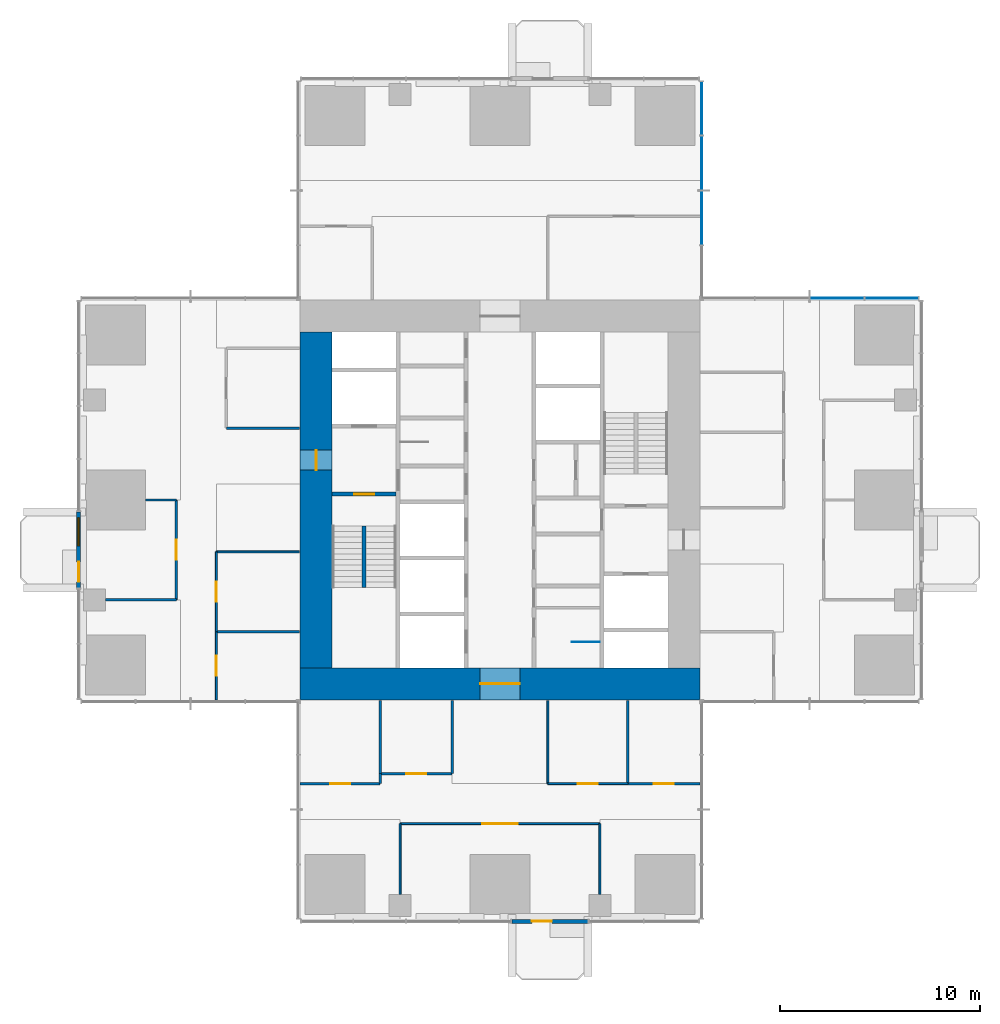
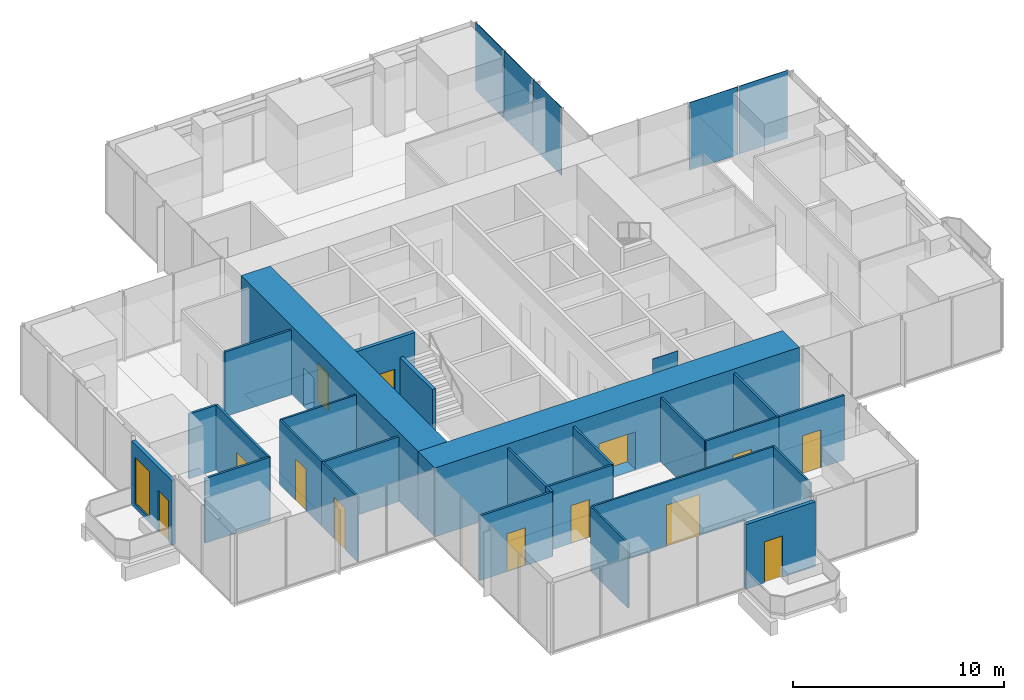
# One storey, part 8 of 13: 27 walls, 13 doors, 5 plates, 1 window, 14 openings, 2 elements without a shape of their own.
"""IFC4 building model written with IfcOpenShell, lengths in metres."""

from ifc_helpers import new_model, si_unit, direction, frame, frame_2d, origin, origin_2d, place, context, subcontext, project, spatial, rectangle, extrude, material, layer, layer_set, type_object, element, fill, aggregate, save


model = new_model("IFC4")

# Units and contexts
model_context = context("Model", 3, precision=1e-05, world=origin(), true_north=direction((0.0, 1.0)))
body_context = subcontext(model_context, "Body", "Model", "MODEL_VIEW")
ifc_project = project(units=[si_unit("LENGTHUNIT", "METRE"), si_unit("AREAUNIT", "SQUARE_METRE"), si_unit("VOLUMEUNIT", "CUBIC_METRE"), si_unit("PLANEANGLEUNIT", "RADIAN"), si_unit("MASSUNIT", "GRAM", prefix="KILO")], contexts=[model_context])

# Site, building, storey
site_placement = place(None, origin())
site = spatial("IfcSite", under=ifc_project, at=site_placement, CompositionType="ELEMENT")
building_placement = place(site_placement, origin())
building = spatial("IfcBuilding", under=site, at=building_placement, Name="Svetlomir Tower", CompositionType="ELEMENT")
storey_placement = place(building_placement, frame((0.0, 0.0, 144.5)))
storey = spatial("IfcBuildingStorey", under=building, at=storey_placement, Name="L34", CompositionType="ELEMENT", Elevation=144.5)

# Curtain wall, plates
ifc_material_1 = material(Name="Bronze anodised aluminium curtain wall", Category="aluminium")
curtain_wall_type = type_object("IfcCurtainWallType", Name="CURTAIN WALL CW1 TOWER OFFICE", PredefinedType="NOTDEFINED", material=ifc_material_1)
curtain_wall_1_placement = place(storey_placement, origin())
curtain_wall_1 = element("IfcCurtainWall", 1, at=curtain_wall_1_placement, inside=storey, type_object=curtain_wall_type, Name="Curtain wall CW1 L34", PredefinedType="NOTDEFINED")
ifc_material_2 = material(Name="Tinted double glazed unit", Category="glass")
ifc_layer_1 = layer(ifc_material_2, 0.031982421875)
ifc_layer_set_1 = layer_set([ifc_layer_1], Name="Tinted double glazed unit")
plate_type = type_object("IfcPlateType", Name="CW1 GLAZED PANEL 32", PredefinedType="CURTAIN_PANEL", material=ifc_layer_set_1)
plate_1_placement = place(storey_placement, frame((40.608642578125, 31.10009765625, 0.06494140625), z_axis=(0.0, 0.0, 1.0), x_axis=(-1.0, 0.0, 0.0)))
plate_1 = element("IfcPlate", 2, at=plate_1_placement, type_object=plate_type, Name="CW1 panel 1.1", PredefinedType="CURTAIN_PANEL", context=body_context, shape_type="SweptSolid", body=[
    extrude(rectangle(XDim=2.652587890625, YDim=0.031982421875, at=origin_2d()), origin(), (0.0, 0.0, 1.0), 3.93505859375),
])
plate_2_placement = place(storey_placement, frame((37.875, 31.10009765625, 0.06494140625), z_axis=(0.0, 0.0, 1.0), x_axis=(-1.0, 0.0, 0.0)))
plate_2 = element("IfcPlate", 3, at=plate_2_placement, type_object=plate_type, Name="CW1 panel 2.1", PredefinedType="CURTAIN_PANEL", context=body_context, shape_type="SweptSolid", body=[
    extrude(rectangle(XDim=2.68505859375, YDim=0.031982421875, at=origin_2d()), origin(), (0.0, 0.0, 1.0), 3.93505859375),
])
aggregate(curtain_wall_1, [plate_1, plate_2])

curtain_wall_2_placement = place(storey_placement, origin())
curtain_wall_2 = element("IfcCurtainWall", 4, at=curtain_wall_2_placement, inside=storey, type_object=curtain_wall_type, Name="Curtain wall CW1 L34", PredefinedType="NOTDEFINED")
plate_3_placement = place(storey_placement, frame((31.10009765625, 35.125, 0.06494140625), z_axis=(0.0, 0.0, 1.0), x_axis=(0.0, 1.0, 0.0)))
plate_3 = element("IfcPlate", 5, at=plate_3_placement, type_object=plate_type, Name="CW1 panel 2.1", PredefinedType="CURTAIN_PANEL", context=body_context, shape_type="SweptSolid", body=[
    extrude(rectangle(XDim=2.68505859375, YDim=0.031982421875, at=origin_2d()), origin(), (0.0, 0.0, 1.0), 3.93505859375),
])
plate_4_placement = place(storey_placement, frame((31.10009765625, 37.875, 0.06494140625), z_axis=(0.0, 0.0, 1.0), x_axis=(0.0, 1.0, 0.0)))
plate_4 = element("IfcPlate", 6, at=plate_4_placement, type_object=plate_type, Name="CW1 panel 3.1", PredefinedType="CURTAIN_PANEL", context=body_context, shape_type="SweptSolid", body=[
    extrude(rectangle(XDim=2.68505859375, YDim=0.031982421875, at=origin_2d()), origin(), (0.0, 0.0, 1.0), 3.93505859375),
])
plate_5_placement = place(storey_placement, frame((31.10009765625, 40.608642578125, 0.06494140625), z_axis=(0.0, 0.0, 1.0), x_axis=(0.0, 1.0, 0.0)))
plate_5 = element("IfcPlate", 7, at=plate_5_placement, type_object=plate_type, Name="CW1 panel 4.1", PredefinedType="CURTAIN_PANEL", context=body_context, shape_type="SweptSolid", body=[
    extrude(rectangle(XDim=2.652587890625, YDim=0.031982421875, at=origin_2d()), origin(), (0.0, 0.0, 1.0), 3.93505859375),
])
aggregate(curtain_wall_2, [plate_3, plate_4, plate_5])

# Wall, opening, door
ifc_material_3 = material(Name="Bronze anodised aluminium glazed screen", Category="aluminium")
ifc_layer_2 = layer(ifc_material_3, 0.199951171875)
ifc_layer_set_2 = layer_set([ifc_layer_2], Name="Bronze anodised aluminium glazed screen")
wall_type_1 = type_object("IfcWallType", Name="BALCONY SCREEN WALL 200", PredefinedType="USERDEFINED", material=ifc_layer_set_2)
wall_1_placement = place(storey_placement, frame((21.60009765625, -0.10009765625, 0.0), z_axis=(0.0, 0.0, 1.0), x_axis=(1.0, 0.0, 0.0)))
wall_1 = element("IfcWall", 8, at=wall_1_placement, inside=storey, type_object=wall_type_1, Name="Balcony screen S", ObjectType="GLAZED SCREEN", PredefinedType="USERDEFINED", context=body_context, shape_type="SweptSolid", body=[
    extrude(rectangle(XDim=3.7998046875, YDim=0.199951171875, at=frame_2d((1.89990234375, 0.0))), origin(), (0.0, 0.0, 1.0), 3.75),
])
opening_1_placement = place(wall_1_placement, frame((1.0, 0.0, 0.0)))
opening_1 = element("IfcOpeningElement", 9, at=opening_1_placement, cuts=wall_1, Name="Opening BD", PredefinedType="OPENING", context=body_context, shape_type="SweptSolid", body=[
    extrude(rectangle(XDim=1.0, YDim=2.39990234375, at=frame_2d((0.5, 1.199951171875))), frame((0.0, 0.10986328125, 0.0), z_axis=(0.0, -1.0, 0.0), x_axis=(1.0, 0.0, 0.0)), (0.0, 0.0, 1.0), 0.219970703125),
])
ifc_material_4 = material(Name="Bronze anodised aluminium glazed door", Category="aluminium")
door_type_1 = type_object("IfcDoorType", Name="BALCONY DOOR BD 1000x2400", OperationType="SINGLE_SWING_LEFT", PredefinedType="DOOR", material=ifc_material_4)
door_1_placement = place(opening_1_placement, origin())
door_1 = element("IfcDoor", 10, at=door_1_placement, inside=storey, type_object=door_type_1, Name="Balcony screen S door", OperationType="SINGLE_SWING_LEFT", OverallHeight=2.39990234375, OverallWidth=1.0, PredefinedType="DOOR", context=body_context, shape_type="SweptSolid", body=[
    extrude(rectangle(XDim=1.0, YDim=2.39990234375, at=frame_2d((0.5, 1.199951171875))), frame((0.0, 0.02490234375, 0.0), z_axis=(0.0, -1.0, 0.0), x_axis=(1.0, 0.0, 0.0)), (0.0, 0.0, 1.0), 0.050048828125),
])
fill(opening_1, door_1)

# Wall, openings, door, window
wall_2_placement = place(storey_placement, frame((-0.10009765625, 20.39990234375, 0.0), z_axis=(0.0, 0.0, 1.0), x_axis=(0.0, -1.0, 0.0)))
wall_2 = element("IfcWall", 11, at=wall_2_placement, inside=storey, type_object=wall_type_1, Name="Balcony screen W", ObjectType="GLAZED SCREEN", PredefinedType="USERDEFINED", context=body_context, shape_type="SweptSolid", body=[
    extrude(rectangle(XDim=3.7998046875, YDim=0.199951171875, at=frame_2d((1.89990234375, 0.0))), origin(), (0.0, 0.0, 1.0), 3.75),
])
opening_2_placement = place(wall_2_placement, frame((2.5, 0.0, 0.0)))
opening_2 = element("IfcOpeningElement", 12, at=opening_2_placement, cuts=wall_2, Name="Opening BD", PredefinedType="OPENING", context=body_context, shape_type="SweptSolid", body=[
    extrude(rectangle(XDim=1.0, YDim=2.39990234375, at=frame_2d((0.5, 1.199951171875))), frame((0.0, 0.10986328125, 0.0), z_axis=(0.0, -1.0, 0.0), x_axis=(1.0, 0.0, 0.0)), (0.0, 0.0, 1.0), 0.219970703125),
])
opening_3_placement = place(wall_2_placement, frame((0.300048828125, 0.0, 0.300048828125)))
opening_3 = element("IfcOpeningElement", 13, at=opening_3_placement, cuts=wall_2, Name="Opening WS2", PredefinedType="OPENING", context=body_context, shape_type="SweptSolid", body=[
    extrude(rectangle(XDim=1.39990234375, YDim=2.699951171875, at=frame_2d((0.699951171875, 1.35009765625))), frame((0.0, 0.10986328125, 0.0), z_axis=(0.0, -1.0, 0.0), x_axis=(1.0, 0.0, 0.0)), (0.0, 0.0, 1.0), 0.219970703125),
])
door_2_placement = place(opening_2_placement, origin())
door_2 = element("IfcDoor", 14, at=door_2_placement, inside=storey, type_object=door_type_1, Name="Balcony screen W door", OperationType="SINGLE_SWING_LEFT", OverallHeight=2.39990234375, OverallWidth=1.0, PredefinedType="DOOR", context=body_context, shape_type="SweptSolid", body=[
    extrude(rectangle(XDim=1.0, YDim=2.39990234375, at=frame_2d((0.5, 1.199951171875))), frame((0.0, 0.02490234375, 0.0), z_axis=(0.0, -1.0, 0.0), x_axis=(1.0, 0.0, 0.0)), (0.0, 0.0, 1.0), 0.050048828125),
])
fill(opening_2, door_2)
ifc_material_5 = material(Name="Bronze anodised aluminium window", Category="aluminium")
window_type = type_object("IfcWindowType", Name="SCREEN WINDOW WS2 1400x2700", PartitioningType="SINGLE_PANEL", PredefinedType="WINDOW", material=ifc_material_5)
window_placement = place(opening_3_placement, origin())
window = element("IfcWindow", 15, at=window_placement, inside=storey, type_object=window_type, Name="Balcony screen W window 1", OverallHeight=2.699951171875, OverallWidth=1.39990234375, PartitioningType="SINGLE_PANEL", PredefinedType="WINDOW", context=body_context, shape_type="SweptSolid", body=[
    extrude(rectangle(XDim=1.39990234375, YDim=2.699951171875, at=frame_2d((0.699951171875, 1.35009765625))), frame((0.0, 0.030029296875, 0.0), z_axis=(0.0, -1.0, 0.0), x_axis=(1.0, 0.0, 0.0)), (0.0, 0.0, 1.0), 0.06005859375),
])
fill(opening_3, window)

# Wall, opening, door
ifc_material_6 = material(Name="Concrete C60/75", Category="concrete")
ifc_layer_3 = layer(ifc_material_6, 0.199951171875)
ifc_layer_set_3 = layer_set([ifc_layer_3], Name="Concrete C60/75")
wall_type_2 = type_object("IfcWallType", Name="CORE INNER WALL 200", PredefinedType="SHEAR", material=ifc_layer_set_3)
wall_3_placement = place(storey_placement, frame((12.60009765625, 21.300048828125, -0.050048828125), z_axis=(0.0, 0.0, 1.0), x_axis=(1.0, 0.0, 0.0)))
wall_3 = element("IfcWall", 16, at=wall_3_placement, inside=storey, type_object=wall_type_2, Name="Core inner wall 12.6-15.8/21.3 L34", PredefinedType="SHEAR", context=body_context, shape_type="SweptSolid", body=[
    extrude(rectangle(XDim=3.199951171875, YDim=0.199951171875, at=frame_2d((1.60009765625, 0.0))), origin(), (0.0, 0.0, 1.0), 4.0),
])
opening_4_placement = place(wall_3_placement, frame((1.10009765625, 0.0, 0.050048828125)))
opening_4 = element("IfcOpeningElement", 17, at=opening_4_placement, cuts=wall_3, Name="Opening DF", PredefinedType="OPENING", context=body_context, shape_type="SweptSolid", body=[
    extrude(rectangle(XDim=1.0, YDim=2.199951171875, at=frame_2d((0.5, 1.10009765625))), frame((0.0, 0.10986328125, 0.0), z_axis=(0.0, -1.0, 0.0), x_axis=(1.0, 0.0, 0.0)), (0.0, 0.0, 1.0), 0.219970703125),
])
ifc_material_7 = material(Name="Steel fire door", Category="steel")
door_type_2 = type_object("IfcDoorType", Name="DOOR DF 1000x2200", OperationType="SINGLE_SWING_LEFT", PredefinedType="DOOR", material=ifc_material_7)
door_3_placement = place(opening_4_placement, origin())
door_3 = element("IfcDoor", 18, at=door_3_placement, inside=storey, type_object=door_type_2, Name="Stair S1 door L34", OperationType="SINGLE_SWING_RIGHT", OverallHeight=2.199951171875, OverallWidth=1.0, PredefinedType="DOOR", context=body_context, shape_type="SweptSolid", body=[
    extrude(rectangle(XDim=1.0, YDim=2.199951171875, at=frame_2d((0.5, 1.10009765625))), frame((0.0, 0.02490234375, 0.0), z_axis=(0.0, -1.0, 0.0), x_axis=(1.0, 0.0, 0.0)), (0.0, 0.0, 1.0), 0.050048828125),
])
fill(opening_4, door_3)

ifc_material_8 = material(Name="Concrete C60/75", Category="concrete")
ifc_layer_4 = layer(ifc_material_8, 1.60009765625)
ifc_layer_set_4 = layer_set([ifc_layer_4], Name="Concrete C60/75")
wall_type_3 = type_object("IfcWallType", Name="CORE WALL 1600", PredefinedType="SHEAR", material=ifc_layer_set_4)
wall_4_placement = place(storey_placement, frame((11.0, 11.800048828125, -0.050048828125), z_axis=(0.0, 0.0, 1.0), x_axis=(1.0, 0.0, 0.0)))
wall_4 = element("IfcWall", 19, at=wall_4_placement, inside=storey, type_object=wall_type_3, Name="Core wall south L34", PredefinedType="SHEAR", context=body_context, shape_type="SweptSolid", body=[
    extrude(rectangle(XDim=20.0, YDim=1.60009765625, at=frame_2d((10.0, 0.0))), origin(), (0.0, 0.0, 1.0), 4.0),
])
opening_5_placement = place(wall_4_placement, frame((9.0, 0.0, 0.050048828125)))
opening_5 = element("IfcOpeningElement", 20, at=opening_5_placement, cuts=wall_4, Name="Opening DL", PredefinedType="OPENING", context=body_context, shape_type="SweptSolid", body=[
    extrude(rectangle(XDim=2.0, YDim=2.199951171875, at=frame_2d((1.0, 1.10009765625))), frame((0.0, 0.81005859375, 0.0), z_axis=(0.0, -1.0, 0.0), x_axis=(1.0, 0.0, 0.0)), (0.0, 0.0, 1.0), 1.6201171875),
])
ifc_material_9 = material(Name="Steel fire door", Category="steel")
door_type_3 = type_object("IfcDoorType", Name="DOOR DL 2000x2200", OperationType="DOUBLE_DOOR_SINGLE_SWING", PredefinedType="DOOR", material=ifc_material_9)
door_4_placement = place(opening_5_placement, origin())
door_4 = element("IfcDoor", 21, at=door_4_placement, inside=storey, type_object=door_type_3, Name="Lift lobby south door L34", OperationType="DOUBLE_DOOR_SINGLE_SWING", OverallHeight=2.199951171875, OverallWidth=2.0, PredefinedType="DOOR", context=body_context, shape_type="SweptSolid", body=[
    extrude(rectangle(XDim=2.0, YDim=2.199951171875, at=frame_2d((1.0, 1.10009765625))), frame((0.0, 0.02490234375, 0.0), z_axis=(0.0, -1.0, 0.0), x_axis=(1.0, 0.0, 0.0)), (0.0, 0.0, 1.0), 0.050048828125),
])
fill(opening_5, door_4)

wall_5_placement = place(storey_placement, frame((11.800048828125, 12.60009765625, -0.050048828125), z_axis=(0.0, 0.0, 1.0), x_axis=(0.0, 1.0, 0.0)))
wall_5 = element("IfcWall", 22, at=wall_5_placement, inside=storey, type_object=wall_type_3, Name="Core wall west L34", PredefinedType="SHEAR", context=body_context, shape_type="SweptSolid", body=[
    extrude(rectangle(XDim=16.7998046875, YDim=1.60009765625, at=frame_2d((8.39990234375, 0.0))), origin(), (0.0, 0.0, 1.0), 4.0),
])
opening_6_placement = place(wall_5_placement, frame((9.89990234375, 0.0, 0.050048828125)))
opening_6 = element("IfcOpeningElement", 23, at=opening_6_placement, cuts=wall_5, Name="Opening DF", PredefinedType="OPENING", context=body_context, shape_type="SweptSolid", body=[
    extrude(rectangle(XDim=1.0, YDim=2.199951171875, at=frame_2d((0.5, 1.10009765625))), frame((0.0, 0.81005859375, 0.0), z_axis=(0.0, -1.0, 0.0), x_axis=(1.0, 0.0, 0.0)), (0.0, 0.0, 1.0), 1.6201171875),
])
door_5_placement = place(opening_6_placement, origin())
door_5 = element("IfcDoor", 24, at=door_5_placement, inside=storey, type_object=door_type_2, Name="Firefighting lobby west door L34", OperationType="SINGLE_SWING_RIGHT", OverallHeight=2.199951171875, OverallWidth=1.0, PredefinedType="DOOR", context=body_context, shape_type="SweptSolid", body=[
    extrude(rectangle(XDim=1.0, YDim=2.199951171875, at=frame_2d((0.5, 1.10009765625))), frame((0.0, 0.02490234375, 0.0), z_axis=(0.0, -1.0, 0.0), x_axis=(1.0, 0.0, 0.0)), (0.0, 0.0, 1.0), 0.050048828125),
])
fill(opening_6, door_5)

ifc_material_10 = material(Name="Framed laminated glass partition", Category="glass")
ifc_layer_5 = layer(ifc_material_10, 0.10009765625)
ifc_layer_set_5 = layer_set([ifc_layer_5], Name="Framed laminated glass partition")
wall_type_4 = type_object("IfcWallType", Name="GLAZED PARTITION 100", PredefinedType="PARTITIONING", material=ifc_layer_set_5)
wall_6_placement = place(storey_placement, frame((6.800048828125, 11.0, 0.0), z_axis=(0.0, 0.0, 1.0), x_axis=(0.0, 1.0, 0.0)))
wall_6 = element("IfcWall", 25, at=wall_6_placement, inside=storey, type_object=wall_type_4, Name="Glazed partition L34", PredefinedType="PARTITIONING", context=body_context, shape_type="SweptSolid", body=[
    extrude(rectangle(XDim=3.39990234375, YDim=0.10009765625, at=frame_2d((1.699951171875, 0.0))), origin(), (0.0, 0.0, 1.0), 3.75),
])
opening_7_placement = place(wall_6_placement, frame((1.199951171875, 0.0, 0.0)))
opening_7 = element("IfcOpeningElement", 26, at=opening_7_placement, cuts=wall_6, Name="Opening DG", PredefinedType="OPENING", context=body_context, shape_type="SweptSolid", body=[
    extrude(rectangle(XDim=1.0, YDim=2.39990234375, at=frame_2d((0.5, 1.199951171875))), frame((0.0, 0.06005859375, 0.0), z_axis=(0.0, -1.0, 0.0), x_axis=(1.0, 0.0, 0.0)), (0.0, 0.0, 1.0), 0.1201171875),
])
ifc_material_11 = material(Name="Framed laminated glass door", Category="glass")
door_type_4 = type_object("IfcDoorType", Name="GLAZED DOOR DG 1000x2400", OperationType="SINGLE_SWING_LEFT", PredefinedType="DOOR", material=ifc_material_11)
door_6_placement = place(opening_7_placement, origin())
door_6 = element("IfcDoor", 27, at=door_6_placement, inside=storey, type_object=door_type_4, Name="Model validation room door L34", OperationType="SINGLE_SWING_RIGHT", OverallHeight=2.39990234375, OverallWidth=1.0, PredefinedType="DOOR", context=body_context, shape_type="SweptSolid", body=[
    extrude(rectangle(XDim=1.0, YDim=2.39990234375, at=frame_2d((0.5, 1.199951171875))), frame((0.0, 0.02490234375, 0.0), z_axis=(0.0, -1.0, 0.0), x_axis=(1.0, 0.0, 0.0)), (0.0, 0.0, 1.0), 0.050048828125),
])
fill(opening_7, door_6)

wall_7_placement = place(storey_placement, frame((6.800048828125, 14.39990234375, 0.0), z_axis=(0.0, 0.0, 1.0), x_axis=(0.0, 1.0, 0.0)))
wall_7 = element("IfcWall", 28, at=wall_7_placement, inside=storey, type_object=wall_type_4, Name="Glazed partition L34", PredefinedType="PARTITIONING", context=body_context, shape_type="SweptSolid", body=[
    extrude(rectangle(XDim=4.0, YDim=0.10009765625, at=frame_2d((2.0, 0.0))), origin(), (0.0, 0.0, 1.0), 3.75),
])
opening_8_placement = place(wall_7_placement, frame((1.5, 0.0, 0.0)))
opening_8 = element("IfcOpeningElement", 29, at=opening_8_placement, cuts=wall_7, Name="Opening DG", PredefinedType="OPENING", context=body_context, shape_type="SweptSolid", body=[
    extrude(rectangle(XDim=1.0, YDim=2.39990234375, at=frame_2d((0.5, 1.199951171875))), frame((0.0, 0.06005859375, 0.0), z_axis=(0.0, -1.0, 0.0), x_axis=(1.0, 0.0, 0.0)), (0.0, 0.0, 1.0), 0.1201171875),
])
door_7_placement = place(opening_8_placement, origin())
door_7 = element("IfcDoor", 30, at=door_7_placement, inside=storey, type_object=door_type_4, Name="Focus room 1 door L34", OperationType="SINGLE_SWING_RIGHT", OverallHeight=2.39990234375, OverallWidth=1.0, PredefinedType="DOOR", context=body_context, shape_type="SweptSolid", body=[
    extrude(rectangle(XDim=1.0, YDim=2.39990234375, at=frame_2d((0.5, 1.199951171875))), frame((0.0, 0.02490234375, 0.0), z_axis=(0.0, -1.0, 0.0), x_axis=(1.0, 0.0, 0.0)), (0.0, 0.0, 1.0), 0.050048828125),
])
fill(opening_8, door_7)

# Walls
wall_8_placement = place(storey_placement, frame((6.800048828125, 18.39990234375, 0.0), z_axis=(0.0, 0.0, 1.0), x_axis=(1.0, 0.0, 0.0)))
element("IfcWall", 31, at=wall_8_placement, inside=storey, type_object=wall_type_4, Name="Glazed partition L34", PredefinedType="PARTITIONING", context=body_context, shape_type="SweptSolid", body=[
    extrude(rectangle(XDim=4.14990234375, YDim=0.10009765625, at=frame_2d((2.074951171875, 0.0))), origin(), (0.0, 0.0, 1.0), 3.75),
])
wall_9_placement = place(storey_placement, frame((16.0, 1.260009765625, 0.0), z_axis=(0.0, 0.0, 1.0), x_axis=(0.0, 1.0, 0.0)))
element("IfcWall", 32, at=wall_9_placement, inside=storey, type_object=wall_type_4, Name="Glazed partition L34", PredefinedType="PARTITIONING", context=body_context, shape_type="SweptSolid", body=[
    extrude(rectangle(XDim=3.5400390625, YDim=0.10009765625, at=frame_2d((1.77001953125, 0.0))), origin(), (0.0, 0.0, 1.0), 3.75),
])

# Wall, opening, door
wall_10_placement = place(storey_placement, frame((16.0, 4.800048828125, 0.0), z_axis=(0.0, 0.0, 1.0), x_axis=(1.0, 0.0, 0.0)))
wall_10 = element("IfcWall", 33, at=wall_10_placement, inside=storey, type_object=wall_type_4, Name="Glazed partition L34", PredefinedType="PARTITIONING", context=body_context, shape_type="SweptSolid", body=[
    extrude(rectangle(XDim=10.0, YDim=0.10009765625, at=frame_2d((5.0, 0.0))), origin(), (0.0, 0.0, 1.0), 3.75),
])
opening_9_placement = place(wall_10_placement, frame((4.10009765625, 0.0, 0.0)))
opening_9 = element("IfcOpeningElement", 34, at=opening_9_placement, cuts=wall_10, Name="Opening DD", PredefinedType="OPENING", context=body_context, shape_type="SweptSolid", body=[
    extrude(rectangle(XDim=1.800048828125, YDim=2.39990234375, at=frame_2d((0.89990234375, 1.199951171875))), frame((0.0, 0.06005859375, 0.0), z_axis=(0.0, -1.0, 0.0), x_axis=(1.0, 0.0, 0.0)), (0.0, 0.0, 1.0), 0.1201171875),
])
ifc_material_12 = material(Name="Timber door", Category="wood")
door_type_5 = type_object("IfcDoorType", Name="DOOR DD 1800x2400", OperationType="DOUBLE_DOOR_SINGLE_SWING", PredefinedType="DOOR", material=ifc_material_12)
door_8_placement = place(opening_9_placement, origin())
door_8 = element("IfcDoor", 35, at=door_8_placement, inside=storey, type_object=door_type_5, Name="Investor meeting room, 14 seats door L34", OperationType="DOUBLE_DOOR_SINGLE_SWING", OverallHeight=2.39990234375, OverallWidth=1.800048828125, PredefinedType="DOOR", context=body_context, shape_type="SweptSolid", body=[
    extrude(rectangle(XDim=1.800048828125, YDim=2.39990234375, at=frame_2d((0.89990234375, 1.199951171875))), frame((0.0, 0.02490234375, 0.0), z_axis=(0.0, -1.0, 0.0), x_axis=(1.0, 0.0, 0.0)), (0.0, 0.0, 1.0), 0.050048828125),
])
fill(opening_9, door_8)

# Wall
wall_11_placement = place(storey_placement, frame((23.39990234375, 6.800048828125, 0.0), z_axis=(0.0, 0.0, 1.0), x_axis=(0.0, 1.0, 0.0)))
element("IfcWall", 36, at=wall_11_placement, inside=storey, type_object=wall_type_4, Name="Glazed partition L34", PredefinedType="PARTITIONING", context=body_context, shape_type="SweptSolid", body=[
    extrude(rectangle(XDim=4.14990234375, YDim=0.10009765625, at=frame_2d((2.074951171875, 0.0))), origin(), (0.0, 0.0, 1.0), 3.75),
])

# Wall, opening, door
wall_12_placement = place(storey_placement, frame((23.39990234375, 6.800048828125, 0.0), z_axis=(0.0, 0.0, 1.0), x_axis=(1.0, 0.0, 0.0)))
wall_12 = element("IfcWall", 37, at=wall_12_placement, inside=storey, type_object=wall_type_4, Name="Glazed partition L34", PredefinedType="PARTITIONING", context=body_context, shape_type="SweptSolid", body=[
    extrude(rectangle(XDim=4.0, YDim=0.10009765625, at=frame_2d((2.0, 0.0))), origin(), (0.0, 0.0, 1.0), 3.75),
])
opening_10_placement = place(wall_12_placement, frame((1.5, 0.0, 0.0)))
opening_10 = element("IfcOpeningElement", 38, at=opening_10_placement, cuts=wall_12, Name="Opening DG", PredefinedType="OPENING", context=body_context, shape_type="SweptSolid", body=[
    extrude(rectangle(XDim=1.0, YDim=2.39990234375, at=frame_2d((0.5, 1.199951171875))), frame((0.0, 0.06005859375, 0.0), z_axis=(0.0, -1.0, 0.0), x_axis=(1.0, 0.0, 0.0)), (0.0, 0.0, 1.0), 0.1201171875),
])
door_9_placement = place(opening_10_placement, origin())
door_9 = element("IfcDoor", 39, at=door_9_placement, inside=storey, type_object=door_type_4, Name="Analyst call room door L34", OperationType="SINGLE_SWING_LEFT", OverallHeight=2.39990234375, OverallWidth=1.0, PredefinedType="DOOR", context=body_context, shape_type="SweptSolid", body=[
    extrude(rectangle(XDim=1.0, YDim=2.39990234375, at=frame_2d((0.5, 1.199951171875))), frame((0.0, 0.02490234375, 0.0), z_axis=(0.0, -1.0, 0.0), x_axis=(1.0, 0.0, 0.0)), (0.0, 0.0, 1.0), 0.050048828125),
])
fill(opening_10, door_9)

# Walls
wall_13_placement = place(storey_placement, frame((26.0, 1.260009765625, 0.0), z_axis=(0.0, 0.0, 1.0), x_axis=(0.0, 1.0, 0.0)))
element("IfcWall", 40, at=wall_13_placement, inside=storey, type_object=wall_type_4, Name="Glazed partition L34", PredefinedType="PARTITIONING", context=body_context, shape_type="SweptSolid", body=[
    extrude(rectangle(XDim=3.5400390625, YDim=0.10009765625, at=frame_2d((1.77001953125, 0.0))), origin(), (0.0, 0.0, 1.0), 3.75),
])
ifc_material_13 = material(Name="Gypsum board on steel studs", Category="steel")
ifc_layer_6 = layer(ifc_material_13, 0.1201171875)
ifc_layer_set_6 = layer_set([ifc_layer_6], Name="Gypsum board on steel studs")
wall_type_5 = type_object("IfcWallType", Name="PARTITION 120", PredefinedType="PARTITIONING", material=ifc_layer_set_6)
wall_14_placement = place(storey_placement, frame((1.260009765625, 16.0, 0.0), z_axis=(0.0, 0.0, 1.0), x_axis=(1.0, 0.0, 0.0)))
element("IfcWall", 41, at=wall_14_placement, inside=storey, type_object=wall_type_5, Name="Partition L34", PredefinedType="PARTITIONING", context=body_context, shape_type="SweptSolid", body=[
    extrude(rectangle(XDim=3.5400390625, YDim=0.1201171875, at=frame_2d((1.77001953125, 0.0))), origin(), (0.0, 0.0, 1.0), 3.75),
])
wall_15_placement = place(storey_placement, frame((3.260009765625, 21.0, 0.0), z_axis=(0.0, 0.0, 1.0), x_axis=(1.0, 0.0, 0.0)))
element("IfcWall", 42, at=wall_15_placement, inside=storey, type_object=wall_type_5, Name="Partition L34", PredefinedType="PARTITIONING", context=body_context, shape_type="SweptSolid", body=[
    extrude(rectangle(XDim=1.5400390625, YDim=0.1201171875, at=frame_2d((0.77001953125, 0.0))), origin(), (0.0, 0.0, 1.0), 3.75),
])

# Wall, opening, door
wall_16_placement = place(storey_placement, frame((4.800048828125, 16.0, 0.0), z_axis=(0.0, 0.0, 1.0), x_axis=(0.0, 1.0, 0.0)))
wall_16 = element("IfcWall", 43, at=wall_16_placement, inside=storey, type_object=wall_type_5, Name="Partition L34", PredefinedType="PARTITIONING", context=body_context, shape_type="SweptSolid", body=[
    extrude(rectangle(XDim=5.0, YDim=0.1201171875, at=frame_2d((2.5, 0.0))), origin(), (0.0, 0.0, 1.0), 3.75),
])
opening_11_placement = place(wall_16_placement, frame((2.0, 0.0, 0.0)))
opening_11 = element("IfcOpeningElement", 44, at=opening_11_placement, cuts=wall_16, Name="Opening DR", PredefinedType="OPENING", context=body_context, shape_type="SweptSolid", body=[
    extrude(rectangle(XDim=1.0, YDim=2.199951171875, at=frame_2d((0.5, 1.10009765625))), frame((0.0, 0.070068359375, 0.0), z_axis=(0.0, -1.0, 0.0), x_axis=(1.0, 0.0, 0.0)), (0.0, 0.0, 1.0), 0.14013671875),
])
ifc_material_14 = material(Name="Timber door, glazed side light", Category="wood")
door_type_6 = type_object("IfcDoorType", Name="DOOR DR 1000x2200", OperationType="SINGLE_SWING_LEFT", PredefinedType="DOOR", material=ifc_material_14)
door_10_placement = place(opening_11_placement, origin())
door_10 = element("IfcDoor", 45, at=door_10_placement, inside=storey, type_object=door_type_6, Name="Chief risk officer office door L34", OperationType="SINGLE_SWING_RIGHT", OverallHeight=2.199951171875, OverallWidth=1.0, PredefinedType="DOOR", context=body_context, shape_type="SweptSolid", body=[
    extrude(rectangle(XDim=1.0, YDim=2.199951171875, at=frame_2d((0.5, 1.10009765625))), frame((0.0, 0.02490234375, 0.0), z_axis=(0.0, -1.0, 0.0), x_axis=(1.0, 0.0, 0.0)), (0.0, 0.0, 1.0), 0.050048828125),
])
fill(opening_11, door_10)

# Walls
wall_17_placement = place(storey_placement, frame((6.800048828125, 14.39990234375, 0.0), z_axis=(0.0, 0.0, 1.0), x_axis=(1.0, 0.0, 0.0)))
element("IfcWall", 46, at=wall_17_placement, inside=storey, type_object=wall_type_5, Name="Partition L34", PredefinedType="PARTITIONING", context=body_context, shape_type="SweptSolid", body=[
    extrude(rectangle(XDim=4.14990234375, YDim=0.1201171875, at=frame_2d((2.074951171875, 0.0))), origin(), (0.0, 0.0, 1.0), 3.75),
])
wall_18_placement = place(storey_placement, frame((7.300048828125, 24.60009765625, 0.0), z_axis=(0.0, 0.0, 1.0), x_axis=(1.0, 0.0, 0.0)))
element("IfcWall", 47, at=wall_18_placement, inside=storey, type_object=wall_type_5, Name="Partition L34", PredefinedType="PARTITIONING", context=body_context, shape_type="SweptSolid", body=[
    extrude(rectangle(XDim=3.64990234375, YDim=0.1201171875, at=frame_2d((1.824951171875, 0.0))), origin(), (0.0, 0.0, 1.0), 3.75),
])

# Wall, opening, door
wall_19_placement = place(storey_placement, frame((11.0, 6.800048828125, 0.0), z_axis=(0.0, 0.0, 1.0), x_axis=(1.0, 0.0, 0.0)))
wall_19 = element("IfcWall", 48, at=wall_19_placement, inside=storey, type_object=wall_type_5, Name="Partition L34", PredefinedType="PARTITIONING", context=body_context, shape_type="SweptSolid", body=[
    extrude(rectangle(XDim=4.0, YDim=0.1201171875, at=frame_2d((2.0, 0.0))), origin(), (0.0, 0.0, 1.0), 3.75),
])
opening_12_placement = place(wall_19_placement, frame((1.5, 0.0, 0.0)))
opening_12 = element("IfcOpeningElement", 49, at=opening_12_placement, cuts=wall_19, Name="Opening DR", PredefinedType="OPENING", context=body_context, shape_type="SweptSolid", body=[
    extrude(rectangle(XDim=1.0, YDim=2.199951171875, at=frame_2d((0.5, 1.10009765625))), frame((0.0, 0.070068359375, 0.0), z_axis=(0.0, -1.0, 0.0), x_axis=(1.0, 0.0, 0.0)), (0.0, 0.0, 1.0), 0.14013671875),
])
door_11_placement = place(opening_12_placement, origin())
door_11 = element("IfcDoor", 50, at=door_11_placement, inside=storey, type_object=door_type_6, Name="Broadcast studio door L34", OperationType="SINGLE_SWING_RIGHT", OverallHeight=2.199951171875, OverallWidth=1.0, PredefinedType="DOOR", context=body_context, shape_type="SweptSolid", body=[
    extrude(rectangle(XDim=1.0, YDim=2.199951171875, at=frame_2d((0.5, 1.10009765625))), frame((0.0, 0.02490234375, 0.0), z_axis=(0.0, -1.0, 0.0), x_axis=(1.0, 0.0, 0.0)), (0.0, 0.0, 1.0), 0.050048828125),
])
fill(opening_12, door_11)

# Walls
wall_20_placement = place(storey_placement, frame((15.0, 6.800048828125, 0.0), z_axis=(0.0, 0.0, 1.0), x_axis=(0.0, 1.0, 0.0)))
element("IfcWall", 51, at=wall_20_placement, inside=storey, type_object=wall_type_5, Name="Partition L34", PredefinedType="PARTITIONING", context=body_context, shape_type="SweptSolid", body=[
    extrude(rectangle(XDim=0.5, YDim=0.1201171875, at=frame_2d((0.25, 0.0))), origin(), (0.0, 0.0, 1.0), 3.75),
])
wall_21_placement = place(storey_placement, frame((15.0, 7.300048828125, 0.0), z_axis=(0.0, 0.0, 1.0), x_axis=(0.0, 1.0, 0.0)))
element("IfcWall", 52, at=wall_21_placement, inside=storey, type_object=wall_type_5, Name="Partition L34", PredefinedType="PARTITIONING", context=body_context, shape_type="SweptSolid", body=[
    extrude(rectangle(XDim=3.64990234375, YDim=0.1201171875, at=frame_2d((1.824951171875, 0.0))), origin(), (0.0, 0.0, 1.0), 3.75),
])

# Wall, opening, door
wall_22_placement = place(storey_placement, frame((15.0, 7.300048828125, 0.0), z_axis=(0.0, 0.0, 1.0), x_axis=(1.0, 0.0, 0.0)))
wall_22 = element("IfcWall", 53, at=wall_22_placement, inside=storey, type_object=wall_type_5, Name="Partition L34", PredefinedType="PARTITIONING", context=body_context, shape_type="SweptSolid", body=[
    extrude(rectangle(XDim=3.60009765625, YDim=0.1201171875, at=frame_2d((1.800048828125, 0.0))), origin(), (0.0, 0.0, 1.0), 3.75),
])
opening_13_placement = place(wall_22_placement, frame((1.300048828125, 0.0, 0.0)))
opening_13 = element("IfcOpeningElement", 54, at=opening_13_placement, cuts=wall_22, Name="Opening DR", PredefinedType="OPENING", context=body_context, shape_type="SweptSolid", body=[
    extrude(rectangle(XDim=1.0, YDim=2.199951171875, at=frame_2d((0.5, 1.10009765625))), frame((0.0, 0.070068359375, 0.0), z_axis=(0.0, -1.0, 0.0), x_axis=(1.0, 0.0, 0.0)), (0.0, 0.0, 1.0), 0.14013671875),
])
door_12_placement = place(opening_13_placement, origin())
door_12 = element("IfcDoor", 55, at=door_12_placement, inside=storey, type_object=door_type_6, Name="Studio control room door L34", OperationType="SINGLE_SWING_RIGHT", OverallHeight=2.199951171875, OverallWidth=1.0, PredefinedType="DOOR", context=body_context, shape_type="SweptSolid", body=[
    extrude(rectangle(XDim=1.0, YDim=2.199951171875, at=frame_2d((0.5, 1.10009765625))), frame((0.0, 0.02490234375, 0.0), z_axis=(0.0, -1.0, 0.0), x_axis=(1.0, 0.0, 0.0)), (0.0, 0.0, 1.0), 0.050048828125),
])
fill(opening_13, door_12)

# Walls
wall_23_placement = place(storey_placement, frame((18.60009765625, 7.300048828125, 0.0), z_axis=(0.0, 0.0, 1.0), x_axis=(0.0, 1.0, 0.0)))
element("IfcWall", 56, at=wall_23_placement, inside=storey, type_object=wall_type_5, Name="Partition L34", PredefinedType="PARTITIONING", context=body_context, shape_type="SweptSolid", body=[
    extrude(rectangle(XDim=3.64990234375, YDim=0.1201171875, at=frame_2d((1.824951171875, 0.0))), origin(), (0.0, 0.0, 1.0), 3.75),
])
wall_24_placement = place(storey_placement, frame((27.39990234375, 6.800048828125, 0.0), z_axis=(0.0, 0.0, 1.0), x_axis=(0.0, 1.0, 0.0)))
element("IfcWall", 57, at=wall_24_placement, inside=storey, type_object=wall_type_5, Name="Partition L34", PredefinedType="PARTITIONING", context=body_context, shape_type="SweptSolid", body=[
    extrude(rectangle(XDim=4.14990234375, YDim=0.1201171875, at=frame_2d((2.074951171875, 0.0))), origin(), (0.0, 0.0, 1.0), 3.75),
])

# Wall, opening, door
wall_25_placement = place(storey_placement, frame((27.39990234375, 6.800048828125, 0.0), z_axis=(0.0, 0.0, 1.0), x_axis=(1.0, 0.0, 0.0)))
wall_25 = element("IfcWall", 58, at=wall_25_placement, inside=storey, type_object=wall_type_5, Name="Partition L34", PredefinedType="PARTITIONING", context=body_context, shape_type="SweptSolid", body=[
    extrude(rectangle(XDim=3.60009765625, YDim=0.1201171875, at=frame_2d((1.800048828125, 0.0))), origin(), (0.0, 0.0, 1.0), 3.75),
])
opening_14_placement = place(wall_25_placement, frame((1.300048828125, 0.0, 0.0)))
opening_14 = element("IfcOpeningElement", 59, at=opening_14_placement, cuts=wall_25, Name="Opening DR", PredefinedType="OPENING", context=body_context, shape_type="SweptSolid", body=[
    extrude(rectangle(XDim=1.0, YDim=2.199951171875, at=frame_2d((0.5, 1.10009765625))), frame((0.0, 0.070068359375, 0.0), z_axis=(0.0, -1.0, 0.0), x_axis=(1.0, 0.0, 0.0)), (0.0, 0.0, 1.0), 0.14013671875),
])
door_13_placement = place(opening_14_placement, origin())
door_13 = element("IfcDoor", 60, at=door_13_placement, inside=storey, type_object=door_type_6, Name="Investor relations office door L34", OperationType="SINGLE_SWING_LEFT", OverallHeight=2.199951171875, OverallWidth=1.0, PredefinedType="DOOR", context=body_context, shape_type="SweptSolid", body=[
    extrude(rectangle(XDim=1.0, YDim=2.199951171875, at=frame_2d((0.5, 1.10009765625))), frame((0.0, 0.02490234375, 0.0), z_axis=(0.0, -1.0, 0.0), x_axis=(1.0, 0.0, 0.0)), (0.0, 0.0, 1.0), 0.050048828125),
])
fill(opening_14, door_13)

# Walls
ifc_material_15 = material(Name="Concrete C60/75", Category="concrete")
ifc_layer_7 = layer(ifc_material_15, 0.199951171875)
ifc_layer_set_7 = layer_set([ifc_layer_7], Name="Concrete C60/75")
wall_type_6 = type_object("IfcWallType", Name="STAIR SPINE WALL 200", PredefinedType="PARTITIONING", material=ifc_layer_set_7)
wall_26_placement = place(storey_placement, frame((14.199951171875, 16.6201171875, 0.0), z_axis=(0.0, 0.0, 1.0), x_axis=(0.0, 1.0, 0.0)))
element("IfcWall", 61, at=wall_26_placement, inside=storey, type_object=wall_type_6, Name="Stair S1 spine wall L34", PredefinedType="PARTITIONING", context=body_context, shape_type="SweptSolid", body=[
    extrude(rectangle(XDim=3.079833984375, YDim=0.199951171875, at=frame_2d((1.5400390625, 0.0))), origin(), (0.0, 0.0, 1.0), 4.0),
])
ifc_material_16 = material(Name="Compact laminate panel", Category="plastic")
ifc_layer_8 = layer(ifc_material_16, 0.030029296875)
ifc_layer_set_8 = layer_set([ifc_layer_8], Name="Compact laminate panel")
wall_type_7 = type_object("IfcWallType", Name="WC CUBICLE PARTITION 30", PredefinedType="PARTITIONING", material=ifc_layer_set_8)
wall_27_placement = place(storey_placement, frame((24.60009765625, 13.89990234375, 0.0), z_axis=(0.0, 0.0, 1.0), x_axis=(1.0, 0.0, 0.0)))
element("IfcWall", 62, at=wall_27_placement, inside=storey, type_object=wall_type_7, Name="WC cubicle partition L34", PredefinedType="PARTITIONING", context=body_context, shape_type="SweptSolid", body=[
    extrude(rectangle(XDim=1.39990234375, YDim=0.030029296875, at=frame_2d((0.699951171875, 0.0))), origin(), (0.0, 0.0, 1.0), 3.75),
])

save(model, "model.ifc")
